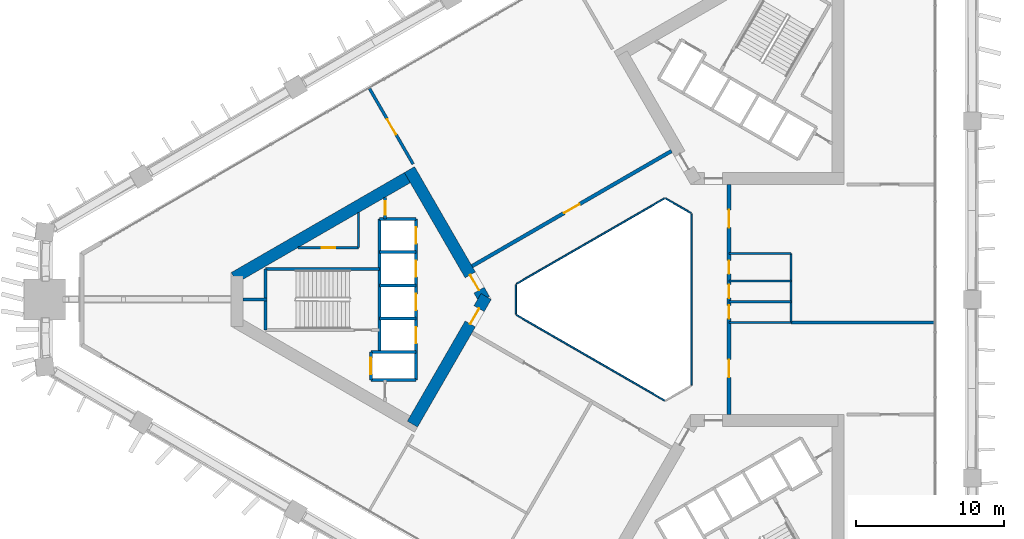
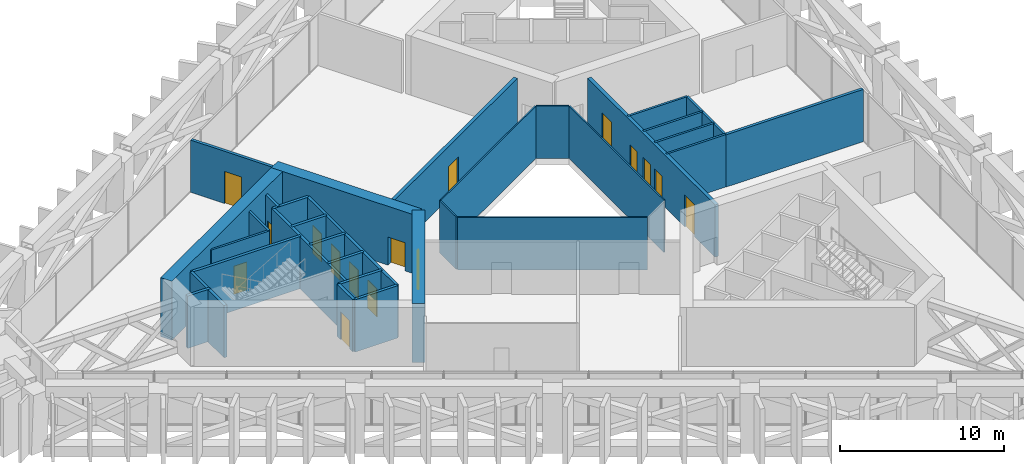
# One storey, part 15 of 18: 32 walls, 16 doors, 16 openings.
"""IFC4 building model written with IfcOpenShell, lengths in metres."""

from ifc_helpers import new_model, si_unit, direction, frame, frame_2d, origin, place, context, subcontext, project, spatial, rectangle, extrude, material, layer, layer_set, type_object, element, fill, save


model = new_model("IFC4")

# Units and contexts
model_context = context("Model", 3, precision=1e-05, world=origin(), true_north=direction((0.0, 1.0)))
body_context = subcontext(model_context, "Body", "Model", "MODEL_VIEW")
ifc_project = project(units=[si_unit("LENGTHUNIT", "METRE"), si_unit("AREAUNIT", "SQUARE_METRE"), si_unit("VOLUMEUNIT", "CUBIC_METRE"), si_unit("PLANEANGLEUNIT", "RADIAN"), si_unit("MASSUNIT", "GRAM", prefix="KILO")], contexts=[model_context])

# Site, building, storey
site_placement = place(None, origin())
site = spatial("IfcSite", under=ifc_project, at=site_placement, CompositionType="ELEMENT")
building_placement = place(site_placement, origin())
building = spatial("IfcBuilding", under=site, at=building_placement, Name="Jabali Bay Hotel Tower and Convention Centre", CompositionType="ELEMENT")
storey_placement = place(building_placement, frame((0.0, 0.0, 52.89990234375)))
storey = spatial("IfcBuildingStorey", under=building, at=storey_placement, Name="L11", CompositionType="ELEMENT", Elevation=52.89990234375)

# Walls
ifc_material_1 = material(Name="Fire-resistant glazing", Category="glass")
ifc_layer_1 = layer(ifc_material_1, 0.10009765625)
ifc_layer_set_1 = layer_set([ifc_layer_1], Name="Fire-resistant glazing")
wall_type_1 = type_object("IfcWallType", Name="Atrium glazed screen 100", PredefinedType="PARTITIONING", material=ifc_layer_set_1)
wall_1_placement = place(storey_placement, frame((79.56005859375, 74.205810546875, 0.0), z_axis=(0.0, 0.0, 1.0), x_axis=(0.0, 1.0, 0.0)))
element("IfcWall", 1, at=wall_1_placement, inside=storey, type_object=wall_type_1, Name="Atrium screen 1 L11", PredefinedType="PARTITIONING", context=body_context, shape_type="SweptSolid", body=[
    extrude(rectangle(XDim=11.58837890625, YDim=0.10009765625, at=frame_2d((5.794189453125, 0.0))), origin(), (0.0, 0.0, 1.0), 3.900146484375),
])
wall_2_placement = place(storey_placement, frame((79.530029296875, 85.84619140625, 0.0), z_axis=(0.0, 0.0, 1.0), x_axis=(-0.866041268327, 0.499972520799, 0.0)))
element("IfcWall", 2, at=wall_2_placement, inside=storey, type_object=wall_type_1, Name="Atrium screen 2 L11", PredefinedType="PARTITIONING", context=body_context, shape_type="SweptSolid", body=[
    extrude(rectangle(XDim=2.0, YDim=0.10009765625, at=frame_2d((1.0, 0.0))), origin(), (0.0, 0.0, 1.0), 3.900146484375),
])
wall_3_placement = place(storey_placement, frame((77.738037109375, 86.84619140625, 0.0), z_axis=(0.0, 0.0, 1.0), x_axis=(-0.866026658274, -0.499997827154, 0.0)))
element("IfcWall", 3, at=wall_3_placement, inside=storey, type_object=wall_type_1, Name="Atrium screen 3 L11", PredefinedType="PARTITIONING", context=body_context, shape_type="SweptSolid", body=[
    extrude(rectangle(XDim=11.58837890625, YDim=0.10009765625, at=frame_2d((5.794189453125, 0.0))), origin(), (0.0, 0.0, 1.0), 3.900146484375),
])
wall_4_placement = place(storey_placement, frame((67.672119140625, 81.0, 0.0), z_axis=(0.0, 0.0, 1.0), x_axis=(0.0, -1.0, 0.0)))
element("IfcWall", 4, at=wall_4_placement, inside=storey, type_object=wall_type_1, Name="Atrium screen 4 L11", PredefinedType="PARTITIONING", context=body_context, shape_type="SweptSolid", body=[
    extrude(rectangle(XDim=2.0, YDim=0.10009765625, at=frame_2d((1.0, 0.0))), origin(), (0.0, 0.0, 1.0), 3.900146484375),
])
wall_5_placement = place(storey_placement, frame((67.7021484375, 78.947998046875, 0.0), z_axis=(0.0, 0.0, 1.0), x_axis=(0.866026658274, -0.499997827154, 0.0)))
element("IfcWall", 5, at=wall_5_placement, inside=storey, type_object=wall_type_1, Name="Atrium screen 5 L11", PredefinedType="PARTITIONING", context=body_context, shape_type="SweptSolid", body=[
    extrude(rectangle(XDim=11.58837890625, YDim=0.10009765625, at=frame_2d((5.794189453125, 0.0))), origin(), (0.0, 0.0, 1.0), 3.900146484375),
])
ifc_material_2 = material(Name="Concrete C40", Category="concrete")
ifc_layer_2 = layer(ifc_material_2, 0.199951171875)
ifc_layer_set_2 = layer_set([ifc_layer_2], Name="Concrete C40")
wall_type_2 = type_object("IfcWallType", Name="Core partition wall 200", PredefinedType="PARTITIONING", material=ifc_layer_set_2)
wall_6_placement = place(storey_placement, frame((50.820068359375, 80.0, 0.0), z_axis=(0.0, 0.0, 1.0), x_axis=(-1.0, 0.0, 0.0)))
element("IfcWall", 6, at=wall_6_placement, inside=storey, type_object=wall_type_2, Name="Core wall 0.5 L11", PredefinedType="PARTITIONING", context=body_context, shape_type="SweptSolid", body=[
    extrude(rectangle(XDim=1.623046875, YDim=0.199951171875, at=frame_2d((0.8115234375, 0.0))), origin(), (0.0, 0.0, 1.0), 3.900146484375),
])

# Wall, opening, door
wall_7_placement = place(storey_placement, frame((58.820068359375, 86.916748046875, 0.0), z_axis=(0.0, 0.0, 1.0), x_axis=(0.0, -1.0, 0.0)))
wall_7 = element("IfcWall", 7, at=wall_7_placement, inside=storey, type_object=wall_type_2, Name="Core wall 0.11 L11", PredefinedType="PARTITIONING", context=body_context, shape_type="SweptSolid", body=[
    extrude(rectangle(XDim=1.466796875, YDim=0.199951171875, at=frame_2d((0.7333984375, 0.0))), origin(), (0.0, 0.0, 1.0), 3.900146484375),
])
opening_1_placement = place(wall_7_placement, frame((0.283447265625, 0.0, 0.0)))
opening_1 = element("IfcOpeningElement", 8, at=opening_1_placement, cuts=wall_7, Name="Opening D309", PredefinedType="OPENING", context=body_context, shape_type="SweptSolid", body=[
    extrude(rectangle(XDim=0.89990234375, YDim=2.10009765625, at=frame_2d((0.449951171875, 1.050048828125))), frame((0.0, 0.1103515625, 0.0), z_axis=(0.0, -1.0, 0.0), x_axis=(1.0, 0.0, 0.0)), (0.0, 0.0, 1.0), 0.220947265625),
])
ifc_material_3 = material(Name="Fire-rated steel door", Category="steel")
door_type_1 = type_object("IfcDoorType", Name="Vestibule fire door 900 x 2100", OperationType="NOTDEFINED", PredefinedType="NOTDEFINED", material=ifc_material_3)
door_1_placement = place(opening_1_placement, origin())
door_1 = element("IfcDoor", 9, at=door_1_placement, inside=storey, type_object=door_type_1, Name="Vestibule fire door D309", OperationType="SINGLE_SWING_LEFT", OverallHeight=2.10009765625, OverallWidth=0.89990234375, PredefinedType="NOTDEFINED", context=body_context, shape_type="SweptSolid", body=[
    extrude(rectangle(XDim=0.89990234375, YDim=2.10009765625, at=frame_2d((0.449951171875, 1.050048828125))), frame((0.0, 0.02490234375, 0.0), z_axis=(0.0, -1.0, 0.0), x_axis=(1.0, 0.0, 0.0)), (0.0, 0.0, 1.0), 0.050048828125),
])
fill(opening_1, door_1)

ifc_material_4 = material(Name="Fire-rated board partition")
ifc_layer_3 = layer(ifc_material_4, 0.14990234375)
ifc_layer_set_3 = layer_set([ifc_layer_3], Name="Fire-rated board partition")
wall_type_3 = type_object("IfcWallType", Name="Core room partition 150", PredefinedType="PARTITIONING", material=ifc_layer_set_3)
wall_8_placement = place(storey_placement, frame((57.02001953125, 83.5, 0.0), z_axis=(0.0, 0.0, 1.0), x_axis=(-1.0, 0.0, 0.0)))
wall_8 = element("IfcWall", 10, at=wall_8_placement, inside=storey, type_object=wall_type_3, Name="Core wall 0.1 L11", PredefinedType="PARTITIONING", context=body_context, shape_type="SweptSolid", body=[
    extrude(rectangle(XDim=4.117919921875, YDim=0.14990234375, at=frame_2d((2.05908203125, 0.0))), origin(), (0.0, 0.0, 1.0), 3.900146484375),
])
opening_2_placement = place(wall_8_placement, frame((1.58154296875, 0.0, 0.0)))
opening_2 = element("IfcOpeningElement", 11, at=opening_2_placement, cuts=wall_8, Name="Opening D311", PredefinedType="OPENING", context=body_context, shape_type="SweptSolid", body=[
    extrude(rectangle(XDim=0.89990234375, YDim=2.10009765625, at=frame_2d((0.449951171875, 1.050048828125))), frame((0.0, 0.08544921875, 0.0), z_axis=(0.0, -1.0, 0.0), x_axis=(1.0, 0.0, 0.0)), (0.0, 0.0, 1.0), 0.1708984375),
])
door_type_2 = type_object("IfcDoorType", Name="Core room door 900 x 2100", OperationType="NOTDEFINED", PredefinedType="NOTDEFINED", material=ifc_material_3)
door_2_placement = place(opening_2_placement, origin())
door_2 = element("IfcDoor", 12, at=door_2_placement, inside=storey, type_object=door_type_2, Name="Core room door D311", OperationType="SINGLE_SWING_LEFT", OverallHeight=2.10009765625, OverallWidth=0.89990234375, PredefinedType="NOTDEFINED", context=body_context, shape_type="SweptSolid", body=[
    extrude(rectangle(XDim=0.89990234375, YDim=2.10009765625, at=frame_2d((0.449951171875, 1.050048828125))), frame((0.0, 0.02490234375, 0.0), z_axis=(0.0, -1.0, 0.0), x_axis=(1.0, 0.0, 0.0)), (0.0, 0.0, 1.0), 0.050048828125),
])
fill(opening_2, door_2)

# Walls
wall_9_placement = place(storey_placement, frame((57.02001953125, 85.87744140625, 0.0), z_axis=(0.0, 0.0, 1.0), x_axis=(0.0, -1.0, 0.0)))
element("IfcWall", 13, at=wall_9_placement, inside=storey, type_object=wall_type_3, Name="Core wall 0.15 L11", PredefinedType="PARTITIONING", context=body_context, shape_type="SweptSolid", body=[
    extrude(rectangle(XDim=2.37744140625, YDim=0.14990234375, at=frame_2d((1.188720703125, 0.0))), origin(), (0.0, 0.0, 1.0), 3.900146484375),
])
ifc_layer_4 = layer(ifc_material_2, 0.199951171875)
ifc_layer_set_4 = layer_set([ifc_layer_4], Name="Concrete C40")
wall_type_4 = type_object("IfcWallType", Name="Core stair wall 200", PredefinedType="SOLIDWALL", material=ifc_layer_set_4)
for number, where, z_axis, x_axis, name in (
    (14, (60.89990234375, 85.449951171875, 0.0), (0.0, 0.0, 1.0), (-1.0, 0.0, 0.0), "Core wall 0.0 L11"),
    (15, (60.89990234375, 83.199951171875, 0.0), (0.0, 0.0, 1.0), (-1.0, 0.0, 0.0), "Core wall 0.2 L11"),
):
    element("IfcWall", number, at=place(storey_placement, frame(where, z_axis=z_axis, x_axis=x_axis)), inside=storey, type_object=wall_type_4, Name=name, PredefinedType="SOLIDWALL", context=body_context, shape_type="SweptSolid", body=[
        extrude(rectangle(XDim=2.47998046875, YDim=0.199951171875, at=frame_2d((1.239990234375, 0.0))), origin(), (0.0, 0.0, 1.0), 3.900146484375),
    ])
wall_10_placement = place(storey_placement, frame((58.419921875, 82.074951171875, 0.0), z_axis=(0.0, 0.0, 1.0), x_axis=(-1.0, 0.0, 0.0)))
element("IfcWall", 16, at=wall_10_placement, inside=storey, type_object=wall_type_4, Name="Core wall 0.3 L11", PredefinedType="SOLIDWALL", context=body_context, shape_type="SweptSolid", body=[
    extrude(rectangle(XDim=7.699951171875, YDim=0.199951171875, at=frame_2d((3.85009765625, 0.0))), origin(), (0.0, 0.0, 1.0), 3.900146484375),
])
for number, where, z_axis, x_axis, name in (
    (17, (60.89990234375, 80.949951171875, 0.0), (0.0, 0.0, 1.0), (-1.0, 0.0, 0.0), "Core wall 0.4 L11"),
    (18, (60.89990234375, 78.699951171875, 0.0), (0.0, 0.0, 1.0), (-1.0, 0.0, 0.0), "Core wall 0.6 L11"),
):
    element("IfcWall", number, at=place(storey_placement, frame(where, z_axis=z_axis, x_axis=x_axis)), inside=storey, type_object=wall_type_4, Name=name, PredefinedType="SOLIDWALL", context=body_context, shape_type="SweptSolid", body=[
        extrude(rectangle(XDim=2.47998046875, YDim=0.199951171875, at=frame_2d((1.239990234375, 0.0))), origin(), (0.0, 0.0, 1.0), 3.900146484375),
    ])
for number, where, z_axis, x_axis, name in (
    (19, (60.89990234375, 76.449951171875, 0.0), (0.0, 0.0, 1.0), (-1.0, 0.0, 0.0), "Core wall 0.8 L11"),
    (20, (60.89990234375, 74.550048828125, 0.0), (0.0, 0.0, 1.0), (-1.0, 0.0, 0.0), "Core wall 0.9 L11"),
):
    element("IfcWall", number, at=place(storey_placement, frame(where, z_axis=z_axis, x_axis=x_axis)), inside=storey, type_object=wall_type_4, Name=name, PredefinedType="SOLIDWALL", context=body_context, shape_type="SweptSolid", body=[
        extrude(rectangle(XDim=3.0498046875, YDim=0.199951171875, at=frame_2d((1.52490234375, 0.0))), origin(), (0.0, 0.0, 1.0), 3.900146484375),
    ])

# Wall, openings, doors
wall_11_placement = place(storey_placement, frame((60.89990234375, 85.449951171875, 0.0), z_axis=(0.0, 0.0, 1.0), x_axis=(0.0, -1.0, 0.0)))
wall_11 = element("IfcWall", 21, at=wall_11_placement, inside=storey, type_object=wall_type_4, Name="Core wall 0.10 L11", PredefinedType="SOLIDWALL", context=body_context, shape_type="SweptSolid", body=[
    extrude(rectangle(XDim=10.89990234375, YDim=0.199951171875, at=frame_2d((5.449951171875, 0.0))), origin(), (0.0, 0.0, 1.0), 3.900146484375),
])
opening_3_placement = place(wall_11_placement, frame((0.574951171875, 0.0, 0.0)))
opening_3 = element("IfcOpeningElement", 22, at=opening_3_placement, cuts=wall_11, Name="Opening LD1-L11", PredefinedType="OPENING", context=body_context, shape_type="SweptSolid", body=[
    extrude(rectangle(XDim=1.10009765625, YDim=2.10009765625, at=frame_2d((0.550048828125, 1.050048828125))), frame((0.0, 0.1103515625, 0.0), z_axis=(0.0, -1.0, 0.0), x_axis=(1.0, 0.0, 0.0)), (0.0, 0.0, 1.0), 0.220947265625),
])
opening_4_placement = place(wall_11_placement, frame((2.824951171875, 0.0, 0.0)))
opening_4 = element("IfcOpeningElement", 23, at=opening_4_placement, cuts=wall_11, Name="Opening LD2-L11", PredefinedType="OPENING", context=body_context, shape_type="SweptSolid", body=[
    extrude(rectangle(XDim=1.10009765625, YDim=2.10009765625, at=frame_2d((0.550048828125, 1.050048828125))), frame((0.0, 0.1103515625, 0.0), z_axis=(0.0, -1.0, 0.0), x_axis=(1.0, 0.0, 0.0)), (0.0, 0.0, 1.0), 0.220947265625),
])
opening_5_placement = place(wall_11_placement, frame((5.074951171875, 0.0, 0.0)))
opening_5 = element("IfcOpeningElement", 24, at=opening_5_placement, cuts=wall_11, Name="Opening LD3-L11", PredefinedType="OPENING", context=body_context, shape_type="SweptSolid", body=[
    extrude(rectangle(XDim=1.10009765625, YDim=2.10009765625, at=frame_2d((0.550048828125, 1.050048828125))), frame((0.0, 0.1103515625, 0.0), z_axis=(0.0, -1.0, 0.0), x_axis=(1.0, 0.0, 0.0)), (0.0, 0.0, 1.0), 0.220947265625),
])
opening_6_placement = place(wall_11_placement, frame((7.324951171875, 0.0, 0.0)))
opening_6 = element("IfcOpeningElement", 25, at=opening_6_placement, cuts=wall_11, Name="Opening LD4-L11", PredefinedType="OPENING", context=body_context, shape_type="SweptSolid", body=[
    extrude(rectangle(XDim=1.10009765625, YDim=2.10009765625, at=frame_2d((0.550048828125, 1.050048828125))), frame((0.0, 0.1103515625, 0.0), z_axis=(0.0, -1.0, 0.0), x_axis=(1.0, 0.0, 0.0)), (0.0, 0.0, 1.0), 0.220947265625),
])
ifc_material_5 = material(Name="Stainless steel landing door", Category="steel")
door_type_3 = type_object("IfcDoorType", Name="Landing door 1100 x 2100", OperationType="NOTDEFINED", PredefinedType="NOTDEFINED", material=ifc_material_5)
door_3_placement = place(opening_3_placement, origin())
door_3 = element("IfcDoor", 26, at=door_3_placement, inside=storey, type_object=door_type_3, Name="Landing doors LD1-L11", OperationType="SLIDING_TO_RIGHT", OverallHeight=2.10009765625, OverallWidth=1.10009765625, PredefinedType="NOTDEFINED", context=body_context, shape_type="SweptSolid", body=[
    extrude(rectangle(XDim=1.10009765625, YDim=2.10009765625, at=frame_2d((0.550048828125, 1.050048828125))), frame((0.0, 0.02490234375, 0.0), z_axis=(0.0, -1.0, 0.0), x_axis=(1.0, 0.0, 0.0)), (0.0, 0.0, 1.0), 0.050048828125),
])
fill(opening_3, door_3)
door_4_placement = place(opening_4_placement, origin())
door_4 = element("IfcDoor", 27, at=door_4_placement, inside=storey, type_object=door_type_3, Name="Landing doors LD2-L11", OperationType="SLIDING_TO_LEFT", OverallHeight=2.10009765625, OverallWidth=1.10009765625, PredefinedType="NOTDEFINED", context=body_context, shape_type="SweptSolid", body=[
    extrude(rectangle(XDim=1.10009765625, YDim=2.10009765625, at=frame_2d((0.550048828125, 1.050048828125))), frame((0.0, 0.02490234375, 0.0), z_axis=(0.0, -1.0, 0.0), x_axis=(1.0, 0.0, 0.0)), (0.0, 0.0, 1.0), 0.050048828125),
])
fill(opening_4, door_4)
door_5_placement = place(opening_5_placement, origin())
door_5 = element("IfcDoor", 28, at=door_5_placement, inside=storey, type_object=door_type_3, Name="Landing doors LD3-L11", OperationType="SLIDING_TO_RIGHT", OverallHeight=2.10009765625, OverallWidth=1.10009765625, PredefinedType="NOTDEFINED", context=body_context, shape_type="SweptSolid", body=[
    extrude(rectangle(XDim=1.10009765625, YDim=2.10009765625, at=frame_2d((0.550048828125, 1.050048828125))), frame((0.0, 0.02490234375, 0.0), z_axis=(0.0, -1.0, 0.0), x_axis=(1.0, 0.0, 0.0)), (0.0, 0.0, 1.0), 0.050048828125),
])
fill(opening_5, door_5)
door_6_placement = place(opening_6_placement, origin())
door_6 = element("IfcDoor", 29, at=door_6_placement, inside=storey, type_object=door_type_3, Name="Landing doors LD4-L11", OperationType="SLIDING_TO_LEFT", OverallHeight=2.10009765625, OverallWidth=1.10009765625, PredefinedType="NOTDEFINED", context=body_context, shape_type="SweptSolid", body=[
    extrude(rectangle(XDim=1.10009765625, YDim=2.10009765625, at=frame_2d((0.550048828125, 1.050048828125))), frame((0.0, 0.02490234375, 0.0), z_axis=(0.0, -1.0, 0.0), x_axis=(1.0, 0.0, 0.0)), (0.0, 0.0, 1.0), 0.050048828125),
])
fill(opening_6, door_6)

# Wall
wall_12_placement = place(storey_placement, frame((58.419921875, 85.449951171875, 0.0), z_axis=(0.0, 0.0, 1.0), x_axis=(0.0, -1.0, 0.0)))
element("IfcWall", 30, at=wall_12_placement, inside=storey, type_object=wall_type_4, Name="Core wall 0.13 L11", PredefinedType="SOLIDWALL", context=body_context, shape_type="SweptSolid", body=[
    extrude(rectangle(XDim=9.0, YDim=0.199951171875, at=frame_2d((4.5, 0.0))), origin(), (0.0, 0.0, 1.0), 3.900146484375),
])

# Wall, opening, door
wall_13_placement = place(storey_placement, frame((57.85009765625, 76.449951171875, 0.0), z_axis=(0.0, 0.0, 1.0), x_axis=(0.0, -1.0, 0.0)))
wall_13 = element("IfcWall", 31, at=wall_13_placement, inside=storey, type_object=wall_type_4, Name="Core wall 0.14 L11", PredefinedType="SOLIDWALL", context=body_context, shape_type="SweptSolid", body=[
    extrude(rectangle(XDim=1.89990234375, YDim=0.199951171875, at=frame_2d((0.949951171875, 0.0))), origin(), (0.0, 0.0, 1.0), 3.900146484375),
])
opening_7_placement = place(wall_13_placement, frame((0.39990234375, 0.0, 0.0)))
opening_7 = element("IfcOpeningElement", 32, at=opening_7_placement, cuts=wall_13, Name="Opening LD5-L11", PredefinedType="OPENING", context=body_context, shape_type="SweptSolid", body=[
    extrude(rectangle(XDim=1.10009765625, YDim=2.10009765625, at=frame_2d((0.550048828125, 1.050048828125))), frame((0.0, 0.1103515625, 0.0), z_axis=(0.0, -1.0, 0.0), x_axis=(1.0, 0.0, 0.0)), (0.0, 0.0, 1.0), 0.220947265625),
])
door_7_placement = place(opening_7_placement, origin())
door_7 = element("IfcDoor", 33, at=door_7_placement, inside=storey, type_object=door_type_3, Name="Landing doors LD5-L11", OperationType="SLIDING_TO_RIGHT", OverallHeight=2.10009765625, OverallWidth=1.10009765625, PredefinedType="NOTDEFINED", context=body_context, shape_type="SweptSolid", body=[
    extrude(rectangle(XDim=1.10009765625, YDim=2.10009765625, at=frame_2d((0.550048828125, 1.050048828125))), frame((0.0, 0.02490234375, 0.0), z_axis=(0.0, -1.0, 0.0), x_axis=(1.0, 0.0, 0.0)), (0.0, 0.0, 1.0), 0.050048828125),
])
fill(opening_7, door_7)

# Wall
wall_14_placement = place(storey_placement, frame((50.719970703125, 82.074951171875, 0.0), z_axis=(0.0, 0.0, 1.0), x_axis=(0.0, -1.0, 0.0)))
element("IfcWall", 34, at=wall_14_placement, inside=storey, type_object=wall_type_4, Name="Core wall 0.16 L11", PredefinedType="SOLIDWALL", context=body_context, shape_type="SweptSolid", body=[
    extrude(rectangle(XDim=4.14990234375, YDim=0.199951171875, at=frame_2d((2.074951171875, 0.0))), origin(), (0.0, 0.0, 1.0), 3.900146484375),
])

# Wall, opening, door
ifc_material_6 = material(Name="Concrete C60", Category="concrete")
ifc_layer_5 = layer(ifc_material_6, 0.800048828125)
ifc_layer_set_5 = layer_set([ifc_layer_5], Name="Concrete C60")
wall_type_5 = type_object("IfcWallType", Name="Core wall 800", PredefinedType="SHEAR", material=ifc_layer_set_5)
wall_15_placement = place(storey_placement, frame((65.5380859375, 80.0, 0.0), z_axis=(0.0, 0.0, 1.0), x_axis=(-0.49999662545, 0.866027352073, 0.0)))
wall_15 = element("IfcWall", 35, at=wall_15_placement, inside=storey, type_object=wall_type_5, Name="Core wall 1.1 L11", PredefinedType="SHEAR", context=body_context, shape_type="SweptSolid", body=[
    extrude(rectangle(XDim=10.14892578125, YDim=0.800048828125, at=frame_2d((5.074462890625, 0.0))), origin(), (0.0, 0.0, 1.0), 4.400146484375),
])
opening_8_placement = place(wall_15_placement, frame((0.718994140625, 0.0, 0.0)))
opening_8 = element("IfcOpeningElement", 36, at=opening_8_placement, cuts=wall_15, Name="Opening D306", PredefinedType="OPENING", context=body_context, shape_type="SweptSolid", body=[
    extrude(rectangle(XDim=1.199951171875, YDim=2.10009765625, at=frame_2d((0.60009765625, 1.050048828125))), frame((0.0, 0.41064453125, 0.0), z_axis=(0.0, -1.0, 0.0), x_axis=(1.0, 0.0, 0.0)), (0.0, 0.0, 1.0), 0.821044921875),
])
door_type_4 = type_object("IfcDoorType", Name="Corridor end fire door 1200 x 2100", OperationType="NOTDEFINED", PredefinedType="NOTDEFINED", material=ifc_material_3)
door_8_placement = place(opening_8_placement, origin())
door_8 = element("IfcDoor", 37, at=door_8_placement, inside=storey, type_object=door_type_4, Name="Corridor end fire door D306", OperationType="SINGLE_SWING_RIGHT", OverallHeight=2.10009765625, OverallWidth=1.199951171875, PredefinedType="NOTDEFINED", context=body_context, shape_type="SweptSolid", body=[
    extrude(rectangle(XDim=1.199951171875, YDim=2.10009765625, at=frame_2d((0.60009765625, 1.050048828125))), frame((0.0, 0.02490234375, 0.0), z_axis=(0.0, -1.0, 0.0), x_axis=(1.0, 0.0, 0.0)), (0.0, 0.0, 1.0), 0.050048828125),
])
fill(opening_8, door_8)

# Wall
wall_16_placement = place(storey_placement, frame((60.66357421875, 88.44287109375, 0.0), z_axis=(0.0, 0.0, 1.0), x_axis=(-0.866029478545, -0.499992942241, 0.0)))
element("IfcWall", 38, at=wall_16_placement, inside=storey, type_object=wall_type_5, Name="Core wall 1.2 L11", PredefinedType="SHEAR", context=body_context, shape_type="SweptSolid", body=[
    extrude(rectangle(XDim=13.933349609375, YDim=0.800048828125, at=frame_2d((6.966796875, 0.0))), origin(), (0.0, 0.0, 1.0), 4.400146484375),
])

# Wall, opening, door
wall_17_placement = place(storey_placement, frame((60.66357421875, 71.55712890625, 0.0), z_axis=(0.0, 0.0, 1.0), x_axis=(0.50000409368, 0.866023040284, 0.0)))
wall_17 = element("IfcWall", 39, at=wall_17_placement, inside=storey, type_object=wall_type_5, Name="Core wall 1.5 L11", PredefinedType="SHEAR", context=body_context, shape_type="SweptSolid", body=[
    extrude(rectangle(XDim=9.97998046875, YDim=0.800048828125, at=frame_2d((4.989990234375, 0.0))), origin(), (0.0, 0.0, 1.0), 4.400146484375),
])
opening_9_placement = place(wall_17_placement, frame((7.830078125, 0.0, 0.0)))
opening_9 = element("IfcOpeningElement", 40, at=opening_9_placement, cuts=wall_17, Name="Opening D307", PredefinedType="OPENING", context=body_context, shape_type="SweptSolid", body=[
    extrude(rectangle(XDim=1.199951171875, YDim=2.10009765625, at=frame_2d((0.60009765625, 1.050048828125))), frame((0.0, 0.41064453125, 0.0), z_axis=(0.0, -1.0, 0.0), x_axis=(1.0, 0.0, 0.0)), (0.0, 0.0, 1.0), 0.821044921875),
])
door_9_placement = place(opening_9_placement, origin())
door_9 = element("IfcDoor", 41, at=door_9_placement, inside=storey, type_object=door_type_4, Name="Corridor end fire door D307", OperationType="SINGLE_SWING_LEFT", OverallHeight=2.10009765625, OverallWidth=1.199951171875, PredefinedType="NOTDEFINED", context=body_context, shape_type="SweptSolid", body=[
    extrude(rectangle(XDim=1.199951171875, YDim=2.10009765625, at=frame_2d((0.60009765625, 1.050048828125))), frame((0.0, 0.02490234375, 0.0), z_axis=(0.0, -1.0, 0.0), x_axis=(1.0, 0.0, 0.0)), (0.0, 0.0, 1.0), 0.050048828125),
])
fill(opening_9, door_9)

# Wall, openings, doors
ifc_layer_6 = layer(ifc_material_6, 0.25)
ifc_layer_set_6 = layer_set([ifc_layer_6], Name="Concrete C60")
wall_type_6 = type_object("IfcWallType", Name="Corridor wall 250", PredefinedType="SHEAR", material=ifc_layer_set_6)
wall_18_placement = place(storey_placement, frame((82.10009765625, 72.205810546875, 0.0), z_axis=(0.0, 0.0, 1.0), x_axis=(0.0, 1.0, 0.0)))
wall_18 = element("IfcWall", 42, at=wall_18_placement, inside=storey, type_object=wall_type_6, Name="Corridor wall 1 L11", PredefinedType="SHEAR", context=body_context, shape_type="SweptSolid", body=[
    extrude(rectangle(XDim=15.58837890625, YDim=0.25, at=frame_2d((7.794189453125, 0.0))), origin(), (0.0, 0.0, 1.0), 3.900146484375),
])
opening_10_placement = place(wall_18_placement, frame((2.517578125, 0.0, 0.0)))
opening_10 = element("IfcOpeningElement", 43, at=opening_10_placement, cuts=wall_18, Name="Opening 1101", PredefinedType="OPENING", context=body_context, shape_type="SweptSolid", body=[
    extrude(rectangle(XDim=1.199951171875, YDim=2.39990234375, at=frame_2d((0.60009765625, 1.199951171875))), frame((0.0, 0.135498046875, 0.0), z_axis=(0.0, -1.0, 0.0), x_axis=(1.0, 0.0, 0.0)), (0.0, 0.0, 1.0), 0.27099609375),
])
opening_11_placement = place(wall_18_placement, frame((6.48681640625, 0.0, 0.0)))
opening_11 = element("IfcOpeningElement", 44, at=opening_11_placement, cuts=wall_18, Name="Opening 1102", PredefinedType="OPENING", context=body_context, shape_type="SweptSolid", body=[
    extrude(rectangle(XDim=0.89990234375, YDim=2.10009765625, at=frame_2d((0.449951171875, 1.050048828125))), frame((0.0, 0.135498046875, 0.0), z_axis=(0.0, -1.0, 0.0), x_axis=(1.0, 0.0, 0.0)), (0.0, 0.0, 1.0), 0.27099609375),
])
opening_12_placement = place(wall_18_placement, frame((7.889892578125, 0.0, 0.0)))
opening_12 = element("IfcOpeningElement", 45, at=opening_12_placement, cuts=wall_18, Name="Opening 1103", PredefinedType="OPENING", context=body_context, shape_type="SweptSolid", body=[
    extrude(rectangle(XDim=0.89990234375, YDim=2.10009765625, at=frame_2d((0.449951171875, 1.050048828125))), frame((0.0, 0.135498046875, 0.0), z_axis=(0.0, -1.0, 0.0), x_axis=(1.0, 0.0, 0.0)), (0.0, 0.0, 1.0), 0.27099609375),
])
opening_13_placement = place(wall_18_placement, frame((9.526611328125, 0.0, 0.0)))
opening_13 = element("IfcOpeningElement", 46, at=opening_13_placement, cuts=wall_18, Name="Opening 1104", PredefinedType="OPENING", context=body_context, shape_type="SweptSolid", body=[
    extrude(rectangle(XDim=0.89990234375, YDim=2.10009765625, at=frame_2d((0.449951171875, 1.050048828125))), frame((0.0, 0.135498046875, 0.0), z_axis=(0.0, -1.0, 0.0), x_axis=(1.0, 0.0, 0.0)), (0.0, 0.0, 1.0), 0.27099609375),
])
opening_14_placement = place(wall_18_placement, frame((12.650146484375, 0.0, 0.0)))
opening_14 = element("IfcOpeningElement", 47, at=opening_14_placement, cuts=wall_18, Name="Opening 1105", PredefinedType="OPENING", context=body_context, shape_type="SweptSolid", body=[
    extrude(rectangle(XDim=1.199951171875, YDim=2.39990234375, at=frame_2d((0.60009765625, 1.199951171875))), frame((0.0, 0.135498046875, 0.0), z_axis=(0.0, -1.0, 0.0), x_axis=(1.0, 0.0, 0.0)), (0.0, 0.0, 1.0), 0.27099609375),
])
ifc_material_7 = material(Name="Timber", Category="wood")
door_type_5 = type_object("IfcDoorType", Name="Accessible en-suite door 900 x 2100", OperationType="NOTDEFINED", PredefinedType="NOTDEFINED", material=ifc_material_7)
door_10_placement = place(opening_13_placement, origin())
door_10 = element("IfcDoor", 48, at=door_10_placement, inside=storey, type_object=door_type_5, Name="Door 1104", OperationType="SINGLE_SWING_RIGHT", OverallHeight=2.10009765625, OverallWidth=0.89990234375, PredefinedType="NOTDEFINED", context=body_context, shape_type="SweptSolid", body=[
    extrude(rectangle(XDim=0.89990234375, YDim=2.10009765625, at=frame_2d((0.449951171875, 1.050048828125))), frame((0.0, 0.02490234375, 0.0), z_axis=(0.0, -1.0, 0.0), x_axis=(1.0, 0.0, 0.0)), (0.0, 0.0, 1.0), 0.050048828125),
])
fill(opening_13, door_10)
door_type_6 = type_object("IfcDoorType", Name="Internal door 900 x 2100", OperationType="NOTDEFINED", PredefinedType="NOTDEFINED", material=ifc_material_7)
door_11_placement = place(opening_11_placement, origin())
door_11 = element("IfcDoor", 49, at=door_11_placement, inside=storey, type_object=door_type_6, Name="Door 1102", OperationType="SINGLE_SWING_LEFT", OverallHeight=2.10009765625, OverallWidth=0.89990234375, PredefinedType="NOTDEFINED", context=body_context, shape_type="SweptSolid", body=[
    extrude(rectangle(XDim=0.89990234375, YDim=2.10009765625, at=frame_2d((0.449951171875, 1.050048828125))), frame((0.0, 0.02490234375, 0.0), z_axis=(0.0, -1.0, 0.0), x_axis=(1.0, 0.0, 0.0)), (0.0, 0.0, 1.0), 0.050048828125),
])
fill(opening_11, door_11)
door_12_placement = place(opening_12_placement, origin())
door_12 = element("IfcDoor", 50, at=door_12_placement, inside=storey, type_object=door_type_6, Name="Door 1103", OperationType="SINGLE_SWING_RIGHT", OverallHeight=2.10009765625, OverallWidth=0.89990234375, PredefinedType="NOTDEFINED", context=body_context, shape_type="SweptSolid", body=[
    extrude(rectangle(XDim=0.89990234375, YDim=2.10009765625, at=frame_2d((0.449951171875, 1.050048828125))), frame((0.0, 0.02490234375, 0.0), z_axis=(0.0, -1.0, 0.0), x_axis=(1.0, 0.0, 0.0)), (0.0, 0.0, 1.0), 0.050048828125),
])
fill(opening_12, door_12)
door_type_7 = type_object("IfcDoorType", Name="Public room door 1200 x 2400", OperationType="NOTDEFINED", PredefinedType="NOTDEFINED", material=ifc_material_7)
door_13_placement = place(opening_10_placement, origin())
door_13 = element("IfcDoor", 51, at=door_13_placement, inside=storey, type_object=door_type_7, Name="Door 1101", OperationType="SINGLE_SWING_LEFT", OverallHeight=2.39990234375, OverallWidth=1.199951171875, PredefinedType="NOTDEFINED", context=body_context, shape_type="SweptSolid", body=[
    extrude(rectangle(XDim=1.199951171875, YDim=2.39990234375, at=frame_2d((0.60009765625, 1.199951171875))), frame((0.0, 0.02490234375, 0.0), z_axis=(0.0, -1.0, 0.0), x_axis=(1.0, 0.0, 0.0)), (0.0, 0.0, 1.0), 0.050048828125),
])
fill(opening_10, door_13)
door_14_placement = place(opening_14_placement, origin())
door_14 = element("IfcDoor", 52, at=door_14_placement, inside=storey, type_object=door_type_7, Name="Door 1105", OperationType="SINGLE_SWING_RIGHT", OverallHeight=2.39990234375, OverallWidth=1.199951171875, PredefinedType="NOTDEFINED", context=body_context, shape_type="SweptSolid", body=[
    extrude(rectangle(XDim=1.199951171875, YDim=2.39990234375, at=frame_2d((0.60009765625, 1.199951171875))), frame((0.0, 0.02490234375, 0.0), z_axis=(0.0, -1.0, 0.0), x_axis=(1.0, 0.0, 0.0)), (0.0, 0.0, 1.0), 0.050048828125),
])
fill(opening_14, door_14)

# Wall, opening, door
wall_19_placement = place(storey_placement, frame((78.199951171875, 90.0458984375, 0.0), z_axis=(0.0, 0.0, 1.0), x_axis=(-0.866026492143, -0.499998114903, 0.0)))
wall_19 = element("IfcWall", 53, at=wall_19_placement, inside=storey, type_object=wall_type_6, Name="Corridor wall 2 L11", PredefinedType="SHEAR", context=body_context, shape_type="SweptSolid", body=[
    extrude(rectangle(XDim=15.58837890625, YDim=0.25, at=frame_2d((7.794189453125, 0.0))), origin(), (0.0, 0.0, 1.0), 3.900146484375),
])
opening_15_placement = place(wall_19_placement, frame((7.194091796875, 0.0, 0.0)))
opening_15 = element("IfcOpeningElement", 54, at=opening_15_placement, cuts=wall_19, Name="Opening 1106", PredefinedType="OPENING", context=body_context, shape_type="SweptSolid", body=[
    extrude(rectangle(XDim=1.199951171875, YDim=2.39990234375, at=frame_2d((0.60009765625, 1.199951171875))), frame((0.0, 0.135498046875, 0.0), z_axis=(0.0, -1.0, 0.0), x_axis=(1.0, 0.0, 0.0)), (0.0, 0.0, 1.0), 0.27099609375),
])
door_15_placement = place(opening_15_placement, origin())
door_15 = element("IfcDoor", 55, at=door_15_placement, inside=storey, type_object=door_type_7, Name="Door 1106", OperationType="SINGLE_SWING_RIGHT", OverallHeight=2.39990234375, OverallWidth=1.199951171875, PredefinedType="NOTDEFINED", context=body_context, shape_type="SweptSolid", body=[
    extrude(rectangle(XDim=1.199951171875, YDim=2.39990234375, at=frame_2d((0.60009765625, 1.199951171875))), frame((0.0, 0.02490234375, 0.0), z_axis=(0.0, -1.0, 0.0), x_axis=(1.0, 0.0, 0.0)), (0.0, 0.0, 1.0), 0.050048828125),
])
fill(opening_15, door_15)

# Walls
ifc_material_8 = material(Name="Plasterboard on steel stud", Category="steel")
ifc_layer_7 = layer(ifc_material_8, 0.14990234375)
ifc_layer_set_7 = layer_set([ifc_layer_7], Name="Plasterboard on steel stud")
wall_type_7 = type_object("IfcWallType", Name="Partition 150 wet", PredefinedType="PARTITIONING", material=ifc_layer_set_7)
for number, where, z_axis, x_axis, name in (
    (56, (86.300048828125, 78.441162109375, 0.0), (0.0, 0.0, 1.0), (-1.0, 0.0, 0.0), "Partition P03 L11 001"),
    (57, (86.300048828125, 79.843994140625, 0.0), (0.0, 0.0, 1.0), (-1.0, 0.0, 0.0), "Partition P03 L11 004"),
    (58, (86.300048828125, 81.2470703125, 0.0), (0.0, 0.0, 1.0), (-1.0, 0.0, 0.0), "Partition P03 L11 005"),
):
    element("IfcWall", number, at=place(storey_placement, frame(where, z_axis=z_axis, x_axis=x_axis)), inside=storey, type_object=wall_type_7, Name=name, PredefinedType="PARTITIONING", context=body_context, shape_type="SweptSolid", body=[
        extrude(rectangle(XDim=4.199951171875, YDim=0.14990234375, at=frame_2d((2.10009765625, 0.0))), origin(), (0.0, 0.0, 1.0), 3.900146484375),
    ])
wall_20_placement = place(storey_placement, frame((86.299072265625, 78.441162109375, 0.0), z_axis=(0.0, 0.0, 1.0), x_axis=(0.0, 1.0, 0.0)))
element("IfcWall", 59, at=wall_20_placement, inside=storey, type_object=wall_type_7, Name="Partition P03 L11 006", PredefinedType="PARTITIONING", context=body_context, shape_type="SweptSolid", body=[
    extrude(rectangle(XDim=4.676513671875, YDim=0.14990234375, at=frame_2d((2.33837890625, 0.0))), origin(), (0.0, 0.0, 1.0), 3.900146484375),
])
wall_21_placement = place(storey_placement, frame((86.299072265625, 83.11767578125, 0.0), z_axis=(0.0, 0.0, 1.0), x_axis=(-1.0, 0.0, 0.0)))
element("IfcWall", 60, at=wall_21_placement, inside=storey, type_object=wall_type_7, Name="Partition P03 L11 007", PredefinedType="PARTITIONING", context=body_context, shape_type="SweptSolid", body=[
    extrude(rectangle(XDim=4.198974609375, YDim=0.14990234375, at=frame_2d((2.099609375, 0.0))), origin(), (0.0, 0.0, 1.0), 3.900146484375),
])
ifc_layer_8 = layer(ifc_material_8, 0.199951171875)
ifc_layer_set_8 = layer_set([ifc_layer_8], Name="Plasterboard on steel stud")
wall_type_8 = type_object("IfcWallType", Name="Partition 200 party", PredefinedType="PARTITIONING", material=ifc_layer_set_8)
wall_22_placement = place(storey_placement, frame((95.983642578125, 78.440185546875, 0.0), z_axis=(0.0, 0.0, 1.0), x_axis=(-1.0, 0.0, 0.0)))
element("IfcWall", 61, at=wall_22_placement, inside=storey, type_object=wall_type_8, Name="Partition P01 L11 002", PredefinedType="PARTITIONING", context=body_context, shape_type="SweptSolid", body=[
    extrude(rectangle(XDim=9.68359375, YDim=0.199951171875, at=frame_2d((4.841796875, 0.0))), origin(), (0.0, 0.0, 1.0), 3.900146484375),
])

# Wall, opening, door
wall_23_placement = place(storey_placement, frame((60.71044921875, 89.16162109375, 0.0), z_axis=(0.0, 0.0, 1.0), x_axis=(-0.49999445743, 0.866028603765, 0.0)))
wall_23 = element("IfcWall", 62, at=wall_23_placement, inside=storey, type_object=wall_type_8, Name="Partition P01 L11 009", PredefinedType="PARTITIONING", context=body_context, shape_type="SweptSolid", body=[
    extrude(rectangle(XDim=5.90478515625, YDim=0.199951171875, at=frame_2d((2.952392578125, 0.0))), origin(), (0.0, 0.0, 1.0), 3.900146484375),
])
opening_16_placement = place(wall_23_placement, frame((2.304931640625, 0.0, 0.0)))
opening_16 = element("IfcOpeningElement", 63, at=opening_16_placement, cuts=wall_23, Name="Opening 1110", PredefinedType="OPENING", context=body_context, shape_type="SweptSolid", body=[
    extrude(rectangle(XDim=1.199951171875, YDim=2.39990234375, at=frame_2d((0.60009765625, 1.199951171875))), frame((0.0, 0.1103515625, 0.0), z_axis=(0.0, -1.0, 0.0), x_axis=(1.0, 0.0, 0.0)), (0.0, 0.0, 1.0), 0.220947265625),
])
door_16_placement = place(opening_16_placement, origin())
door_16 = element("IfcDoor", 64, at=door_16_placement, inside=storey, type_object=door_type_7, Name="Door 1110", OperationType="SINGLE_SWING_RIGHT", OverallHeight=2.39990234375, OverallWidth=1.199951171875, PredefinedType="NOTDEFINED", context=body_context, shape_type="SweptSolid", body=[
    extrude(rectangle(XDim=1.199951171875, YDim=2.39990234375, at=frame_2d((0.60009765625, 1.199951171875))), frame((0.0, 0.02490234375, 0.0), z_axis=(0.0, -1.0, 0.0), x_axis=(1.0, 0.0, 0.0)), (0.0, 0.0, 1.0), 0.050048828125),
])
fill(opening_16, door_16)

save(model, "model.ifc")
